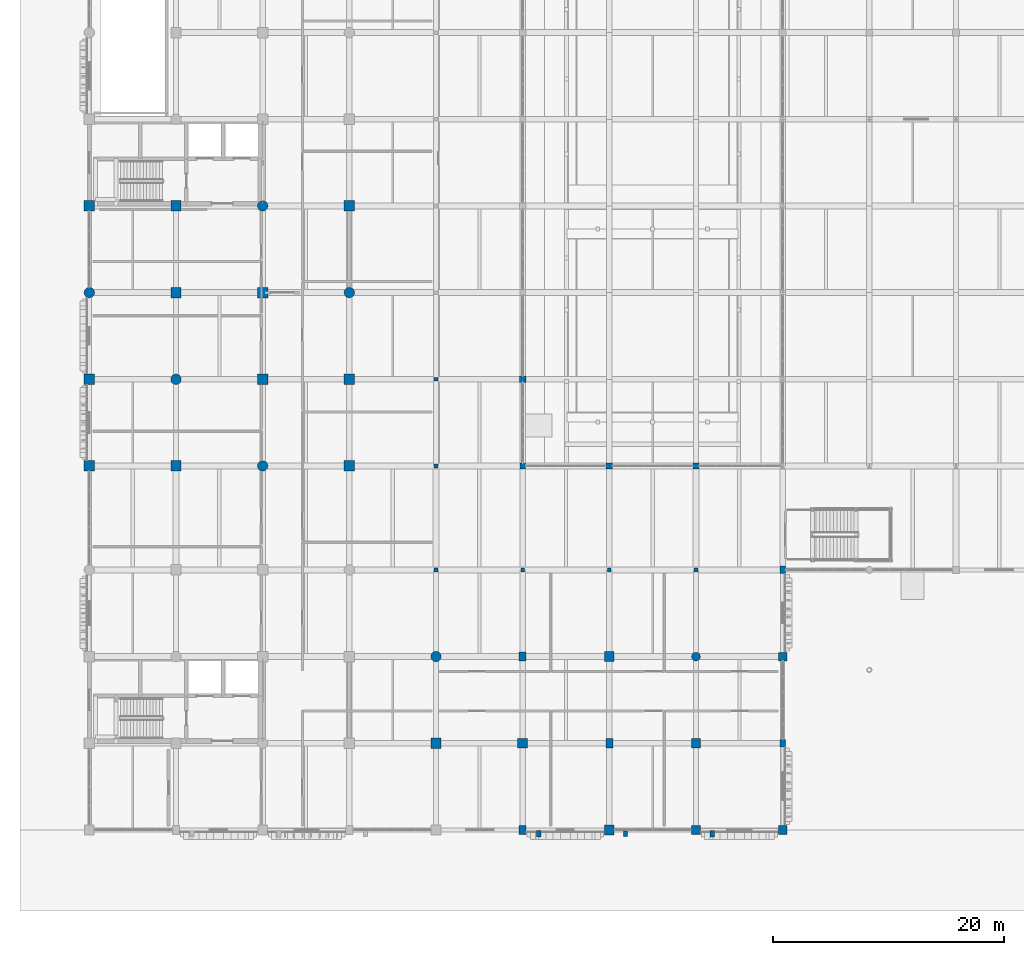
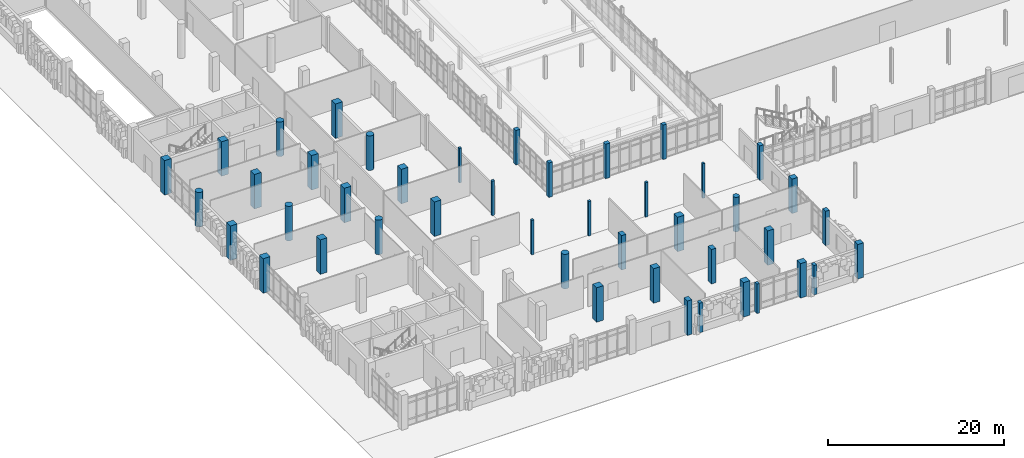
# One storey, part 2 of 125: 44 columns.
"""IFC4 building model written with IfcOpenShell, lengths in metres."""

from ifc_helpers import new_model, si_unit, direction, frame, origin, origin_2d, place, context, subcontext, project, spatial, rectangle, circle, extrude, material, material_profile, profile_set, type_object, element, save


model = new_model("IFC4")

# Units and contexts
model_context = context("Model", 3, precision=1e-05, world=origin(), true_north=direction((0.0, 1.0)))
body_context = subcontext(model_context, "Body", "Model", "MODEL_VIEW")
ifc_project = project(units=[si_unit("LENGTHUNIT", "METRE"), si_unit("AREAUNIT", "SQUARE_METRE"), si_unit("VOLUMEUNIT", "CUBIC_METRE"), si_unit("PLANEANGLEUNIT", "RADIAN"), si_unit("MASSUNIT", "GRAM", prefix="KILO")], contexts=[model_context])

# Site, building, storey
site_placement = place(None, origin())
site = spatial("IfcSite", under=ifc_project, at=site_placement, CompositionType="ELEMENT")
building_placement = place(site_placement, origin())
building = spatial("IfcBuilding", under=site, at=building_placement, Name="Dalvernix Boulevard General Hospital", CompositionType="ELEMENT")
storey_placement = place(building_placement, origin())
storey = spatial("IfcBuildingStorey", under=building, at=storey_placement, Name="L00", CompositionType="ELEMENT", Elevation=0.0)

# Columns
ifc_material_1 = material(Name="Concrete C40/50", Category="concrete")
ifc_material_profile_1 = material_profile(ifc_material_1, rectangle(XDim=0.89990234375, YDim=0.89990234375, at=origin_2d()), Name="RC 900x900")
ifc_profile_set_1 = profile_set([ifc_material_profile_1], Name="Concrete C40/50")
column_type_1 = type_object("IfcColumnType", Name="COL-C-01-E", PredefinedType="COLUMN", material=ifc_profile_set_1)
for number, where, z_axis, x_axis, name in (
    (1, (0.0, 31.5, 0.0), (0.0, 0.0, 1.0), (1.0, 0.0, 0.0), "L00 column 1E"),
    (2, (0.0, 39.0, 0.0), (0.0, 0.0, 1.0), (1.0, 0.0, 0.0), "L00 column 1F"),
    (3, (0.0, 54.0, 0.0), (0.0, 0.0, 1.0), (1.0, 0.0, 0.0), "L00 column 1H"),
):
    element("IfcColumn", number, at=place(storey_placement, frame(where, z_axis=z_axis, x_axis=x_axis)), inside=storey, type_object=column_type_1, Name=name, PredefinedType="COLUMN", context=body_context, shape_type="SweptSolid", body=[
        extrude(rectangle(XDim=0.89990234375, YDim=0.89990234375, at=origin_2d()), origin(), (0.0, 0.0, 1.0), 4.800048828125),
    ])
ifc_material_profile_2 = material_profile(ifc_material_1, rectangle(XDim=0.89990234375, YDim=0.89990234375, at=origin_2d()), Name="RC 900x900")
ifc_profile_set_2 = profile_set([ifc_material_profile_2], Name="Concrete C40/50")
column_type_2 = type_object("IfcColumnType", Name="COL-C-01-I", PredefinedType="COLUMN", material=ifc_profile_set_2)
for number, where, z_axis, x_axis, name in (
    (4, (7.5, 31.5, 0.0), (0.0, 0.0, 1.0), (1.0, 0.0, 0.0), "L00 column 2E"),
    (5, (7.5, 46.5, 0.0), (0.0, 0.0, 1.0), (1.0, 0.0, 0.0), "L00 column 2G"),
    (6, (7.5, 54.0, 0.0), (0.0, 0.0, 1.0), (1.0, 0.0, 0.0), "L00 column 2H"),
    (7, (15.0, 39.0, 0.0), (0.0, 0.0, 1.0), (1.0, 0.0, 0.0), "L00 column 3F"),
    (8, (15.0, 46.5, 0.0), (0.0, 0.0, 1.0), (1.0, 0.0, 0.0), "L00 column 3G"),
    (9, (22.5, 31.5, 0.0), (0.0, 0.0, 1.0), (1.0, 0.0, 0.0), "L00 column 4E"),
    (10, (22.5, 39.0, 0.0), (0.0, 0.0, 1.0), (1.0, 0.0, 0.0), "L00 column 4F"),
    (11, (22.5, 54.0, 0.0), (0.0, 0.0, 1.0), (1.0, 0.0, 0.0), "L00 column 4H"),
    (12, (30.0, 7.5, 0.0), (0.0, 0.0, 1.0), (1.0, 0.0, 0.0), "L00 column 5B"),
):
    element("IfcColumn", number, at=place(storey_placement, frame(where, z_axis=z_axis, x_axis=x_axis)), inside=storey, type_object=column_type_2, Name=name, PredefinedType="COLUMN", context=body_context, shape_type="SweptSolid", body=[
        extrude(rectangle(XDim=0.89990234375, YDim=0.89990234375, at=origin_2d()), origin(), (0.0, 0.0, 1.0), 4.800048828125),
    ])
ifc_material_profile_3 = material_profile(ifc_material_1, rectangle(XDim=0.85009765625, YDim=0.85009765625, at=origin_2d()), Name="RC 850x850")
ifc_profile_set_3 = profile_set([ifc_material_profile_3], Name="Concrete C40/50")
column_type_3 = type_object("IfcColumnType", Name="COL-C-02-E", PredefinedType="COLUMN", material=ifc_profile_set_3)
column_1_placement = place(storey_placement, frame((45.0, 0.0, 0.0), z_axis=(0.0, 0.0, 1.0), x_axis=(1.0, 0.0, 0.0)))
element("IfcColumn", 13, at=column_1_placement, inside=storey, type_object=column_type_3, Name="L00 column 7A", PredefinedType="COLUMN", context=body_context, shape_type="SweptSolid", body=[
    extrude(rectangle(XDim=0.85009765625, YDim=0.85009765625, at=origin_2d()), origin(), (0.0, 0.0, 1.0), 4.800048828125),
])
ifc_material_profile_4 = material_profile(ifc_material_1, rectangle(XDim=0.85009765625, YDim=0.85009765625, at=origin_2d()), Name="RC 850x850")
ifc_profile_set_4 = profile_set([ifc_material_profile_4], Name="Concrete C40/50")
column_type_4 = type_object("IfcColumnType", Name="COL-C-02-I", PredefinedType="COLUMN", material=ifc_profile_set_4)
for number, where, z_axis, x_axis, name in (
    (14, (37.5, 7.5, 0.0), (0.0, 0.0, 1.0), (1.0, 0.0, 0.0), "L00 column 6B"),
    (15, (45.0, 15.0, 0.0), (0.0, 0.0, 1.0), (1.0, 0.0, 0.0), "L00 column 7C"),
):
    element("IfcColumn", number, at=place(storey_placement, frame(where, z_axis=z_axis, x_axis=x_axis)), inside=storey, type_object=column_type_4, Name=name, PredefinedType="COLUMN", context=body_context, shape_type="SweptSolid", body=[
        extrude(rectangle(XDim=0.85009765625, YDim=0.85009765625, at=origin_2d()), origin(), (0.0, 0.0, 1.0), 4.800048828125),
    ])
ifc_material_profile_5 = material_profile(ifc_material_1, rectangle(XDim=0.800048828125, YDim=0.800048828125, at=origin_2d()), Name="RC 800x800")
ifc_profile_set_5 = profile_set([ifc_material_profile_5], Name="Concrete C40/50")
column_type_5 = type_object("IfcColumnType", Name="COL-C-03-E", PredefinedType="COLUMN", material=ifc_profile_set_5)
column_2_placement = place(storey_placement, frame((52.5, 0.0, 0.0), z_axis=(0.0, 0.0, 1.0), x_axis=(1.0, 0.0, 0.0)))
element("IfcColumn", 16, at=column_2_placement, inside=storey, type_object=column_type_5, Name="L00 column 8A", PredefinedType="COLUMN", context=body_context, shape_type="SweptSolid", body=[
    extrude(rectangle(XDim=0.800048828125, YDim=0.800048828125, at=origin_2d()), origin(), (0.0, 0.0, 1.0), 4.800048828125),
])
ifc_material_profile_6 = material_profile(ifc_material_1, rectangle(XDim=0.800048828125, YDim=0.800048828125, at=origin_2d()), Name="RC 800x800")
ifc_profile_set_6 = profile_set([ifc_material_profile_6], Name="Concrete C40/50")
column_type_6 = type_object("IfcColumnType", Name="COL-C-03-I", PredefinedType="COLUMN", material=ifc_profile_set_6)
column_3_placement = place(storey_placement, frame((52.5, 7.5, 0.0), z_axis=(0.0, 0.0, 1.0), x_axis=(1.0, 0.0, 0.0)))
element("IfcColumn", 17, at=column_3_placement, inside=storey, type_object=column_type_6, Name="L00 column 8B", PredefinedType="COLUMN", context=body_context, shape_type="SweptSolid", body=[
    extrude(rectangle(XDim=0.800048828125, YDim=0.800048828125, at=origin_2d()), origin(), (0.0, 0.0, 1.0), 4.800048828125),
])
ifc_material_profile_7 = material_profile(ifc_material_1, rectangle(XDim=0.75, YDim=0.75, at=origin_2d()), Name="RC 750x750")
ifc_profile_set_7 = profile_set([ifc_material_profile_7], Name="Concrete C40/50")
column_type_7 = type_object("IfcColumnType", Name="COL-C-04-E", PredefinedType="COLUMN", material=ifc_profile_set_7)
for number, where, z_axis, x_axis, name in (
    (18, (60.0, 0.0, 0.0), (0.0, 0.0, 1.0), (1.0, 0.0, 0.0), "L00 column 9A"),
    (19, (60.0, 15.0, 0.0), (0.0, 0.0, 1.0), (1.0, 0.0, 0.0), "L00 column 9C"),
):
    element("IfcColumn", number, at=place(storey_placement, frame(where, z_axis=z_axis, x_axis=x_axis)), inside=storey, type_object=column_type_7, Name=name, PredefinedType="COLUMN", context=body_context, shape_type="SweptSolid", body=[
        extrude(rectangle(XDim=0.75, YDim=0.75, at=origin_2d()), origin(), (0.0, 0.0, 1.0), 4.800048828125),
    ])
ifc_material_profile_8 = material_profile(ifc_material_1, rectangle(XDim=0.550048828125, YDim=0.550048828125, at=origin_2d()), Name="RC 550x550")
ifc_profile_set_8 = profile_set([ifc_material_profile_8], Name="Concrete C40/50")
column_type_8 = type_object("IfcColumnType", Name="COL-C-08-E", PredefinedType="COLUMN", material=ifc_profile_set_8)
for number, where, z_axis, x_axis, name in (
    (20, (37.5, 39.0, 0.0), (0.0, 0.0, 1.0), (1.0, 0.0, 0.0), "L00 column 6F"),
    (21, (45.0, 31.5, 0.0), (0.0, 0.0, 1.0), (1.0, 0.0, 0.0), "L00 column 7E"),
):
    element("IfcColumn", number, at=place(storey_placement, frame(where, z_axis=z_axis, x_axis=x_axis)), inside=storey, type_object=column_type_8, Name=name, PredefinedType="COLUMN", context=body_context, shape_type="SweptSolid", body=[
        extrude(rectangle(XDim=0.550048828125, YDim=0.550048828125, at=origin_2d()), origin(), (0.0, 0.0, 1.0), 4.800048828125),
    ])
ifc_material_profile_9 = material_profile(ifc_material_1, rectangle(XDim=0.5, YDim=0.5, at=origin_2d()), Name="RC 500x500")
ifc_profile_set_9 = profile_set([ifc_material_profile_9], Name="Concrete C40/50")
column_type_9 = type_object("IfcColumnType", Name="COL-C-09-E", PredefinedType="COLUMN", material=ifc_profile_set_9)
for number, where, z_axis, x_axis, name in (
    (22, (37.5, 31.5, 0.0), (0.0, 0.0, 1.0), (1.0, 0.0, 0.0), "L00 column 6E"),
    (23, (52.5, 31.5, 0.0), (0.0, 0.0, 1.0), (1.0, 0.0, 0.0), "L00 column 8E"),
):
    element("IfcColumn", number, at=place(storey_placement, frame(where, z_axis=z_axis, x_axis=x_axis)), inside=storey, type_object=column_type_9, Name=name, PredefinedType="COLUMN", context=body_context, shape_type="SweptSolid", body=[
        extrude(rectangle(XDim=0.5, YDim=0.5, at=origin_2d()), origin(), (0.0, 0.0, 1.0), 4.800048828125),
    ])
ifc_material_profile_10 = material_profile(ifc_material_1, rectangle(XDim=0.60009765625, YDim=0.800048828125, at=origin_2d()), Name="RC 600x800")
ifc_profile_set_10 = profile_set([ifc_material_profile_10], Name="Concrete C40/50")
column_type_10 = type_object("IfcColumnType", Name="COL-C-11-E", PredefinedType="COLUMN", material=ifc_profile_set_10)
column_4_placement = place(storey_placement, frame((37.5, 0.0, 0.0), z_axis=(0.0, 0.0, 1.0), x_axis=(1.0, 0.0, 0.0)))
element("IfcColumn", 24, at=column_4_placement, inside=storey, type_object=column_type_10, Name="L00 column 6A", PredefinedType="COLUMN", context=body_context, shape_type="SweptSolid", body=[
    extrude(rectangle(XDim=0.60009765625, YDim=0.800048828125, at=origin_2d()), origin(), (0.0, 0.0, 1.0), 4.800048828125),
])
ifc_material_profile_11 = material_profile(ifc_material_1, rectangle(XDim=0.60009765625, YDim=0.800048828125, at=origin_2d()), Name="RC 600x800")
ifc_profile_set_11 = profile_set([ifc_material_profile_11], Name="Concrete C40/50")
column_type_11 = type_object("IfcColumnType", Name="COL-C-11-I", PredefinedType="COLUMN", material=ifc_profile_set_11)
for number, where, z_axis, x_axis, name in (
    (25, (37.5, 15.0, 0.0), (0.0, 0.0, 1.0), (1.0, 0.0, 0.0), "L00 column 6C"),
    (26, (45.0, 7.5, 0.0), (0.0, 0.0, 1.0), (1.0, 0.0, 0.0), "L00 column 7B"),
):
    element("IfcColumn", number, at=place(storey_placement, frame(where, z_axis=z_axis, x_axis=x_axis)), inside=storey, type_object=column_type_11, Name=name, PredefinedType="COLUMN", context=body_context, shape_type="SweptSolid", body=[
        extrude(rectangle(XDim=0.60009765625, YDim=0.800048828125, at=origin_2d()), origin(), (0.0, 0.0, 1.0), 4.800048828125),
    ])
ifc_material_profile_12 = material_profile(ifc_material_1, rectangle(XDim=0.5, YDim=0.64990234375, at=origin_2d()), Name="RC 500x650")
ifc_profile_set_12 = profile_set([ifc_material_profile_12], Name="Concrete C40/50")
column_type_12 = type_object("IfcColumnType", Name="COL-C-12-E", PredefinedType="COLUMN", material=ifc_profile_set_12)
for number, where, z_axis, x_axis, name in (
    (27, (60.0, 7.5, 0.0), (0.0, 0.0, 1.0), (1.0, 0.0, 0.0), "L00 column 9B"),
    (28, (60.0, 22.5, 0.0), (0.0, 0.0, 1.0), (1.0, 0.0, 0.0), "L00 column 9D"),
):
    element("IfcColumn", number, at=place(storey_placement, frame(where, z_axis=z_axis, x_axis=x_axis)), inside=storey, type_object=column_type_12, Name=name, PredefinedType="COLUMN", context=body_context, shape_type="SweptSolid", body=[
        extrude(rectangle(XDim=0.5, YDim=0.64990234375, at=origin_2d()), origin(), (0.0, 0.0, 1.0), 4.800048828125),
    ])
ifc_material_profile_13 = material_profile(ifc_material_1, circle(Radius=0.449951171875, at=origin_2d()), Name="RC D900")
ifc_profile_set_13 = profile_set([ifc_material_profile_13], Name="Concrete C40/50")
column_type_13 = type_object("IfcColumnType", Name="COL-C-13-E", PredefinedType="COLUMN", material=ifc_profile_set_13)
column_5_placement = place(storey_placement, frame((0.0, 46.5, 0.0), z_axis=(0.0, 0.0, 1.0), x_axis=(1.0, 0.0, 0.0)))
element("IfcColumn", 29, at=column_5_placement, inside=storey, type_object=column_type_13, Name="L00 column 1G", PredefinedType="COLUMN", context=body_context, shape_type="SweptSolid", body=[
    extrude(circle(Radius=0.449951171875, at=origin_2d()), origin(), (0.0, 0.0, 1.0), 4.800048828125),
])
ifc_material_profile_14 = material_profile(ifc_material_1, circle(Radius=0.449951171875, at=origin_2d()), Name="RC D900")
ifc_profile_set_14 = profile_set([ifc_material_profile_14], Name="Concrete C40/50")
column_type_14 = type_object("IfcColumnType", Name="COL-C-13-I", PredefinedType="COLUMN", material=ifc_profile_set_14)
for number, where, z_axis, x_axis, name in (
    (30, (7.5, 39.0, 0.0), (0.0, 0.0, 1.0), (1.0, 0.0, 0.0), "L00 column 2F"),
    (31, (15.0, 31.5, 0.0), (0.0, 0.0, 1.0), (1.0, 0.0, 0.0), "L00 column 3E"),
    (32, (15.0, 54.0, 0.0), (0.0, 0.0, 1.0), (1.0, 0.0, 0.0), "L00 column 3H"),
    (33, (22.5, 46.5, 0.0), (0.0, 0.0, 1.0), (1.0, 0.0, 0.0), "L00 column 4G"),
    (34, (30.0, 15.0, 0.0), (0.0, 0.0, 1.0), (1.0, 0.0, 0.0), "L00 column 5C"),
):
    element("IfcColumn", number, at=place(storey_placement, frame(where, z_axis=z_axis, x_axis=x_axis)), inside=storey, type_object=column_type_14, Name=name, PredefinedType="COLUMN", context=body_context, shape_type="SweptSolid", body=[
        extrude(circle(Radius=0.449951171875, at=origin_2d()), origin(), (0.0, 0.0, 1.0), 4.800048828125),
    ])
ifc_material_profile_15 = material_profile(ifc_material_1, circle(Radius=0.375, at=origin_2d()), Name="RC D750")
ifc_profile_set_15 = profile_set([ifc_material_profile_15], Name="Concrete C40/50")
column_type_15 = type_object("IfcColumnType", Name="COL-C-14-I", PredefinedType="COLUMN", material=ifc_profile_set_15)
column_6_placement = place(storey_placement, frame((52.5, 15.0, 0.0), z_axis=(0.0, 0.0, 1.0), x_axis=(1.0, 0.0, 0.0)))
element("IfcColumn", 35, at=column_6_placement, inside=storey, type_object=column_type_15, Name="L00 column 8C", PredefinedType="COLUMN", context=body_context, shape_type="SweptSolid", body=[
    extrude(circle(Radius=0.375, at=origin_2d()), origin(), (0.0, 0.0, 1.0), 4.800048828125),
])
ifc_material_2 = material(Name="Glulam GL28h", Category="wood")
ifc_material_profile_16 = material_profile(ifc_material_2, rectangle(XDim=0.320068359375, YDim=0.320068359375, at=origin_2d()), Name="GL28h 320x320")
ifc_profile_set_16 = profile_set([ifc_material_profile_16], Name="Glulam GL28h")
column_type_16 = type_object("IfcColumnType", Name="COL-C-20-I", PredefinedType="COLUMN", material=ifc_profile_set_16)
for number, where, z_axis, x_axis, name in (
    (36, (30.0, 22.5, 0.0), (0.0, 0.0, 1.0), (1.0, 0.0, 0.0), "L00 column 5D"),
    (37, (30.0, 31.5, 0.0), (0.0, 0.0, 1.0), (1.0, 0.0, 0.0), "L00 column 5E"),
    (38, (30.0, 39.0, 0.0), (0.0, 0.0, 1.0), (1.0, 0.0, 0.0), "L00 column 5F"),
    (39, (37.5, 22.5, 0.0), (0.0, 0.0, 1.0), (1.0, 0.0, 0.0), "L00 column 6D"),
    (40, (45.0, 22.5, 0.0), (0.0, 0.0, 1.0), (1.0, 0.0, 0.0), "L00 column 7D"),
    (41, (52.5, 22.5, 0.0), (0.0, 0.0, 1.0), (1.0, 0.0, 0.0), "L00 column 8D"),
):
    element("IfcColumn", number, at=place(storey_placement, frame(where, z_axis=z_axis, x_axis=x_axis)), inside=storey, type_object=column_type_16, Name=name, PredefinedType="COLUMN", context=body_context, shape_type="SweptSolid", body=[
        extrude(rectangle(XDim=0.320068359375, YDim=0.320068359375, at=origin_2d()), origin(), (0.0, 0.0, 1.0), 4.800048828125),
    ])
ifc_material_profile_17 = material_profile(ifc_material_1, rectangle(XDim=0.35009765625, YDim=0.5, at=origin_2d()), Name="RC 350x500")
ifc_profile_set_17 = profile_set([ifc_material_profile_17], Name="Concrete C40/50")
column_type_17 = type_object("IfcColumnType", Name="COL-CP-01", PredefinedType="PILASTER", material=ifc_profile_set_17)
column_7_placement = place(storey_placement, frame((46.39990234375, -0.340087890625, 0.0), z_axis=(0.0, 0.0, 1.0), x_axis=(1.0, 0.0, 0.0)))
element("IfcColumn", 42, at=column_7_placement, inside=storey, type_object=column_type_17, Name="L00 boulevard facade pilaster 5", PredefinedType="PILASTER", context=body_context, shape_type="SweptSolid", body=[
    extrude(rectangle(XDim=0.35009765625, YDim=0.5, at=origin_2d()), origin(), (0.0, 0.0, 1.0), 4.10009765625),
])
ifc_material_profile_18 = material_profile(ifc_material_1, rectangle(XDim=0.39990234375, YDim=0.550048828125, at=origin_2d()), Name="RC 400x550")
ifc_profile_set_18 = profile_set([ifc_material_profile_18], Name="Concrete C40/50")
column_type_18 = type_object("IfcColumnType", Name="COL-CP-02", PredefinedType="PILASTER", material=ifc_profile_set_18)
for number, where, z_axis, x_axis, name in (
    (43, (38.89990234375, -0.340087890625, 0.0), (0.0, 0.0, 1.0), (1.0, 0.0, 0.0), "L00 boulevard facade pilaster 4"),
    (44, (53.89990234375, -0.340087890625, 0.0), (0.0, 0.0, 1.0), (1.0, 0.0, 0.0), "L00 boulevard facade pilaster 6"),
):
    element("IfcColumn", number, at=place(storey_placement, frame(where, z_axis=z_axis, x_axis=x_axis)), inside=storey, type_object=column_type_18, Name=name, PredefinedType="PILASTER", context=body_context, shape_type="SweptSolid", body=[
        extrude(rectangle(XDim=0.39990234375, YDim=0.550048828125, at=origin_2d()), origin(), (0.0, 0.0, 1.0), 4.10009765625),
    ])

save(model, "model.ifc")
